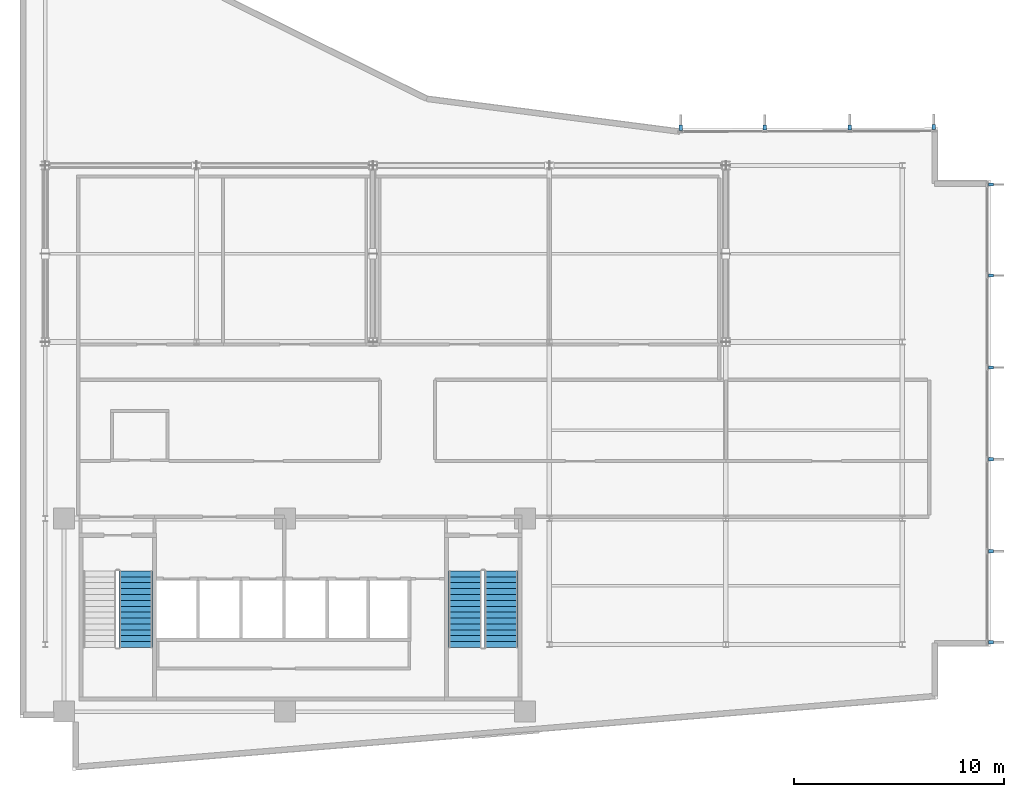
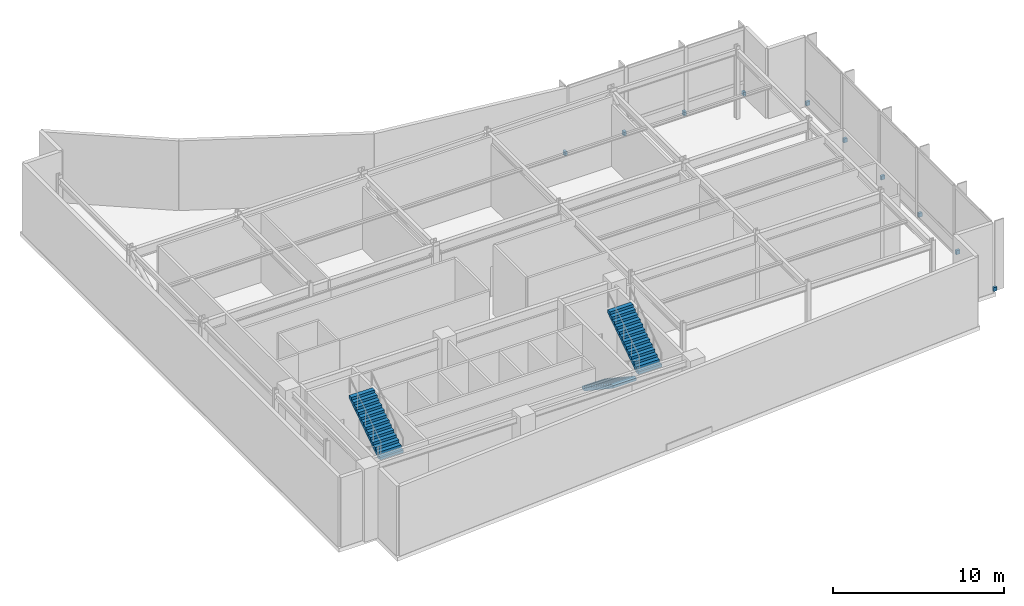
# One storey, part 12 of 15: 10 discrete accessories, 3 stair flights, 2 elements without a shape of their own.
"""IFC4 building model written with IfcOpenShell, lengths in metres."""

from ifc_helpers import new_model, si_unit, direction, frame, origin, origin_2d, place, context, subcontext, project, spatial, polyline, rectangle, outline, extrude, material, layer, layer_set, type_object, element, aggregate, save


model = new_model("IFC4")

# Units and contexts
model_context = context("Model", 3, precision=1e-05, world=origin(), true_north=direction((0.0, 1.0)))
body_context = subcontext(model_context, "Body", "Model", "MODEL_VIEW")
ifc_project = project(units=[si_unit("LENGTHUNIT", "METRE"), si_unit("AREAUNIT", "SQUARE_METRE"), si_unit("VOLUMEUNIT", "CUBIC_METRE"), si_unit("PLANEANGLEUNIT", "RADIAN"), si_unit("MASSUNIT", "GRAM", prefix="KILO")], contexts=[model_context])

# Site, building, storey
site_placement = place(None, origin())
site = spatial("IfcSite", under=ifc_project, at=site_placement, CompositionType="ELEMENT")
building_placement = place(site_placement, origin())
building = spatial("IfcBuilding", under=site, at=building_placement, Name="Varnakote Quay Hospital", CompositionType="ELEMENT")
storey_placement = place(building_placement, frame((0.0, 0.0, 235.550048828125)))
storey = spatial("IfcBuildingStorey", under=building, at=storey_placement, Name="L58", CompositionType="ELEMENT", Elevation=235.550048828125)

# Stair, stair flight
ifc_material_1 = material(Name="Concrete N40 (f'c 40 MPa)", Category="concrete")
stair_type = type_object("IfcStairType", Name="STR-CORE-1580", PredefinedType="HALF_TURN_STAIR", material=ifc_material_1)
stair_1_placement = place(storey_placement, origin())
stair_1 = element("IfcStair", 1, at=stair_1_placement, inside=storey, type_object=stair_type, Name="L58 Fire-Isolated Exit Stair ST-01", PredefinedType="HALF_TURN_STAIR")
ifc_material_2 = material(Name="Concrete N40 (f'c 40 MPa)", Category="concrete")
ifc_layer = layer(ifc_material_2, 0.159912109375)
ifc_layer_set = layer_set([ifc_layer], Name="Concrete N40 (f'c 40 MPa)")
stair_flight_type = type_object("IfcStairFlightType", Name="FLT-CORE-1580", PredefinedType="STRAIGHT", material=ifc_layer_set)
stair_flight_1_placement = place(storey_placement, frame((5.510009765625, 5.860107421875, 2.599853515625), z_axis=(0.0, 0.0, 1.0), x_axis=(0.0, 1.0, 0.0)))
stair_flight_1 = element("IfcStairFlight", 2, at=stair_flight_1_placement, type_object=stair_flight_type, Name="ST-01 flight 2", NumberOfRisers=14, NumberOfTreads=13, PredefinedType="STRAIGHT", RiserHeight=0.185714286, TreadLength=0.28, context=body_context, shape_type="SweptSolid", body=[
    extrude(outline(polyline([(0.0, 0.0), (0.0, 0.185791015625), (0.280029296875, 0.185791015625), (0.280029296875, 0.371337890625), (0.56005859375, 0.371337890625), (0.56005859375, 0.55712890625), (0.840087890625, 0.55712890625), (0.840087890625, 0.742919921875), (1.1201171875, 0.742919921875), (1.1201171875, 0.928466796875), (1.39990234375, 0.928466796875), (1.39990234375, 1.1142578125), (1.679931640625, 1.1142578125), (1.679931640625, 1.300048828125), (1.9599609375, 1.300048828125), (1.9599609375, 1.485595703125), (2.239990234375, 1.485595703125), (2.239990234375, 1.67138671875), (2.52001953125, 1.67138671875), (2.52001953125, 1.857177734375), (2.800048828125, 1.857177734375), (2.800048828125, 2.04296875), (3.080078125, 2.04296875), (3.080078125, 2.228515625), (3.360107421875, 2.228515625), (3.360107421875, 2.414306640625), (3.639892578125, 2.414306640625), (3.639892578125, 2.60009765625), (3.639892578125, 2.222412109375), (0.289306640625, 0.0), (0.0, 0.0)])), frame((0.0, 0.7900390625, 0.0), z_axis=(0.0, -1.0, 0.0), x_axis=(1.0, 0.0, 0.0)), (0.0, 0.0, 1.0), 1.580078125),
])
aggregate(stair_1, [stair_flight_1])

# Stair, stair flights
stair_2_placement = place(storey_placement, origin())
stair_2 = element("IfcStair", 3, at=stair_2_placement, inside=storey, type_object=stair_type, Name="L58 Fire-Isolated Exit Stair ST-02", PredefinedType="HALF_TURN_STAIR")
stair_flight_2_placement = place(storey_placement, frame((21.18994140625, 9.5, 0.0), z_axis=(0.0, 0.0, 1.0), x_axis=(0.0, -1.0, 0.0)))
stair_flight_2 = element("IfcStairFlight", 4, at=stair_flight_2_placement, type_object=stair_flight_type, Name="ST-02 flight 1", NumberOfRisers=14, NumberOfTreads=13, PredefinedType="STRAIGHT", RiserHeight=0.185714286, TreadLength=0.28, context=body_context, shape_type="SweptSolid", body=[
    extrude(outline(polyline([(0.0, 0.0), (0.0, 0.185791015625), (0.280029296875, 0.185791015625), (0.280029296875, 0.371337890625), (0.56005859375, 0.371337890625), (0.56005859375, 0.55712890625), (0.840087890625, 0.55712890625), (0.840087890625, 0.742919921875), (1.1201171875, 0.742919921875), (1.1201171875, 0.928466796875), (1.39990234375, 0.928466796875), (1.39990234375, 1.1142578125), (1.679931640625, 1.1142578125), (1.679931640625, 1.300048828125), (1.9599609375, 1.300048828125), (1.9599609375, 1.485595703125), (2.239990234375, 1.485595703125), (2.239990234375, 1.67138671875), (2.52001953125, 1.67138671875), (2.52001953125, 1.857177734375), (2.800048828125, 1.857177734375), (2.800048828125, 2.04296875), (3.080078125, 2.04296875), (3.080078125, 2.228515625), (3.360107421875, 2.228515625), (3.360107421875, 2.414306640625), (3.639892578125, 2.414306640625), (3.639892578125, 2.60009765625), (3.639892578125, 2.222412109375), (0.289306640625, 0.0), (0.0, 0.0)])), frame((0.0, 0.7900390625, 0.0), z_axis=(0.0, -1.0, 0.0), x_axis=(1.0, 0.0, 0.0)), (0.0, 0.0, 1.0), 1.580078125),
])
stair_flight_3_placement = place(storey_placement, frame((22.909912109375, 5.860107421875, 2.599853515625), z_axis=(0.0, 0.0, 1.0), x_axis=(0.0, 1.0, 0.0)))
stair_flight_3 = element("IfcStairFlight", 5, at=stair_flight_3_placement, type_object=stair_flight_type, Name="ST-02 flight 2", NumberOfRisers=14, NumberOfTreads=13, PredefinedType="STRAIGHT", RiserHeight=0.185714286, TreadLength=0.28, context=body_context, shape_type="SweptSolid", body=[
    extrude(outline(polyline([(0.0, 0.0), (0.0, 0.185791015625), (0.280029296875, 0.185791015625), (0.280029296875, 0.371337890625), (0.56005859375, 0.371337890625), (0.56005859375, 0.55712890625), (0.840087890625, 0.55712890625), (0.840087890625, 0.742919921875), (1.1201171875, 0.742919921875), (1.1201171875, 0.928466796875), (1.39990234375, 0.928466796875), (1.39990234375, 1.1142578125), (1.679931640625, 1.1142578125), (1.679931640625, 1.300048828125), (1.9599609375, 1.300048828125), (1.9599609375, 1.485595703125), (2.239990234375, 1.485595703125), (2.239990234375, 1.67138671875), (2.52001953125, 1.67138671875), (2.52001953125, 1.857177734375), (2.800048828125, 1.857177734375), (2.800048828125, 2.04296875), (3.080078125, 2.04296875), (3.080078125, 2.228515625), (3.360107421875, 2.228515625), (3.360107421875, 2.414306640625), (3.639892578125, 2.414306640625), (3.639892578125, 2.60009765625), (3.639892578125, 2.222412109375), (0.289306640625, 0.0), (0.0, 0.0)])), frame((0.0, 0.7900390625, 0.0), z_axis=(0.0, -1.0, 0.0), x_axis=(1.0, 0.0, 0.0)), (0.0, 0.0, 1.0), 1.580078125),
])
aggregate(stair_2, [stair_flight_2, stair_flight_3])

# Discrete accessories
ifc_material_3 = material(Name="Anodised aluminium 6063-T6 Bronze", Category="aluminium")
discrete_accessory_type = type_object("IfcDiscreteAccessoryType", Name="ACC-FIN-BRACKET-180", PredefinedType="BRACKET", material=ifc_material_3)
for number, where, z_axis, x_axis, name in (
    (6, (46.22998046875, 6.1025390625, 0.0), (0.0, 0.0, 1.0), (0.0, 1.0, 0.0), "L58 Curtain Wall Fin Fixing Bracket"),
    (7, (46.22998046875, 10.43603515625, 0.0), (0.0, 0.0, 1.0), (0.0, 1.0, 0.0), "L58 Curtain Wall Fin Fixing Bracket"),
    (8, (46.22998046875, 14.81201171875, 0.0), (0.0, 0.0, 1.0), (0.0, 1.0, 0.0), "L58 Curtain Wall Fin Fixing Bracket"),
    (9, (46.22998046875, 19.18798828125, 0.0), (0.0, 0.0, 1.0), (0.0, 1.0, 0.0), "L58 Curtain Wall Fin Fixing Bracket"),
    (10, (46.22998046875, 23.56396484375, 0.0), (0.0, 0.0, 1.0), (0.0, 1.0, 0.0), "L58 Curtain Wall Fin Fixing Bracket"),
    (11, (46.22998046875, 27.8974609375, 0.0), (0.0, 0.0, 1.0), (0.0, 1.0, 0.0), "L58 Curtain Wall Fin Fixing Bracket"),
    (12, (43.4970703125, 30.62939453125, 0.0), (0.0, 0.0, 1.0), (-0.999996573056, -0.002617990887, 0.0), "L58 Curtain Wall Fin Fixing Bracket"),
    (13, (39.494873046875, 30.619140625, 0.0), (0.0, 0.0, 1.0), (-0.999996573056, -0.002617990887, 0.0), "L58 Curtain Wall Fin Fixing Bracket"),
    (14, (35.4501953125, 30.6083984375, 0.0), (0.0, 0.0, 1.0), (-0.999996573056, -0.002617990887, 0.0), "L58 Curtain Wall Fin Fixing Bracket"),
    (15, (31.447998046875, 30.59814453125, 0.0), (0.0, 0.0, 1.0), (-0.999996573056, -0.002617990887, 0.0), "L58 Curtain Wall Fin Fixing Bracket"),
):
    element("IfcDiscreteAccessory", number, at=place(storey_placement, frame(where, z_axis=z_axis, x_axis=x_axis)), inside=storey, type_object=discrete_accessory_type, Name=name, PredefinedType="BRACKET", context=body_context, shape_type="SweptSolid", body=[
        extrude(rectangle(XDim=0.159912109375, YDim=0.239990234375, at=origin_2d()), origin(), (0.0, 0.0, 1.0), 0.280029296875),
    ])

save(model, "model.ifc")
